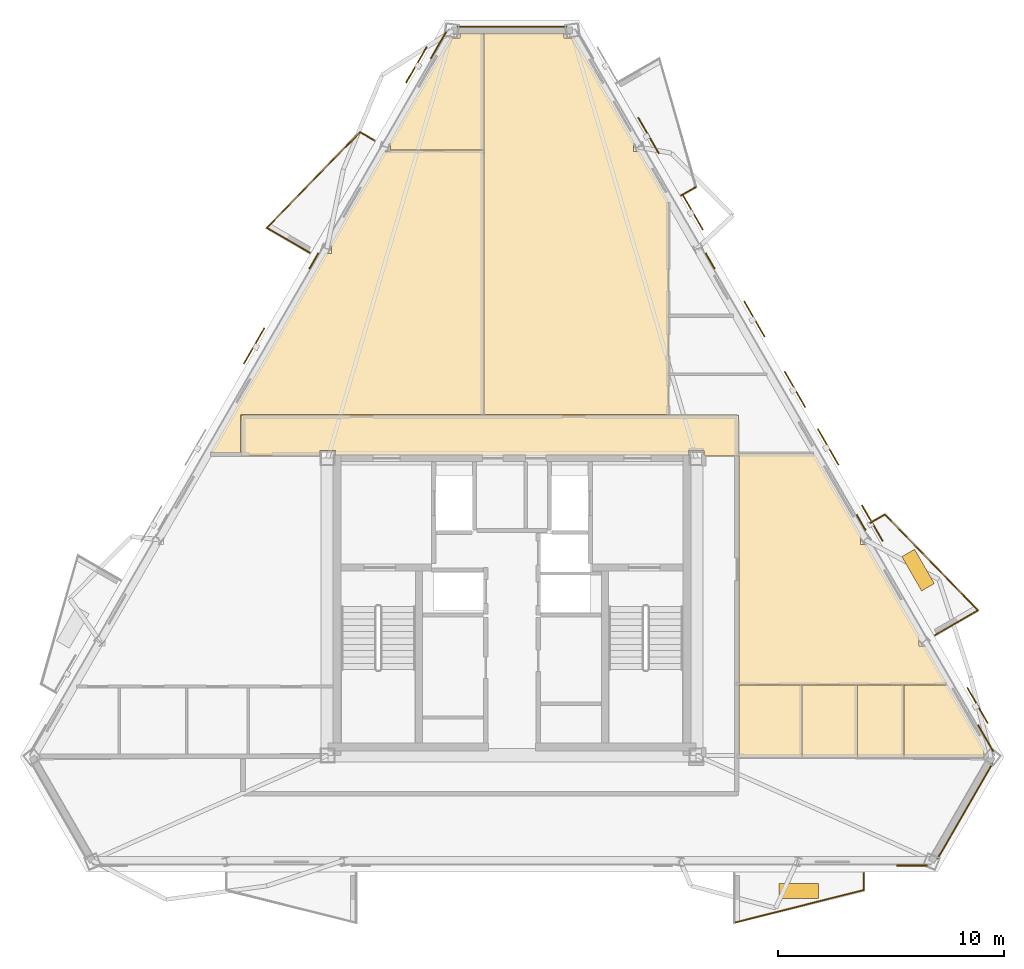
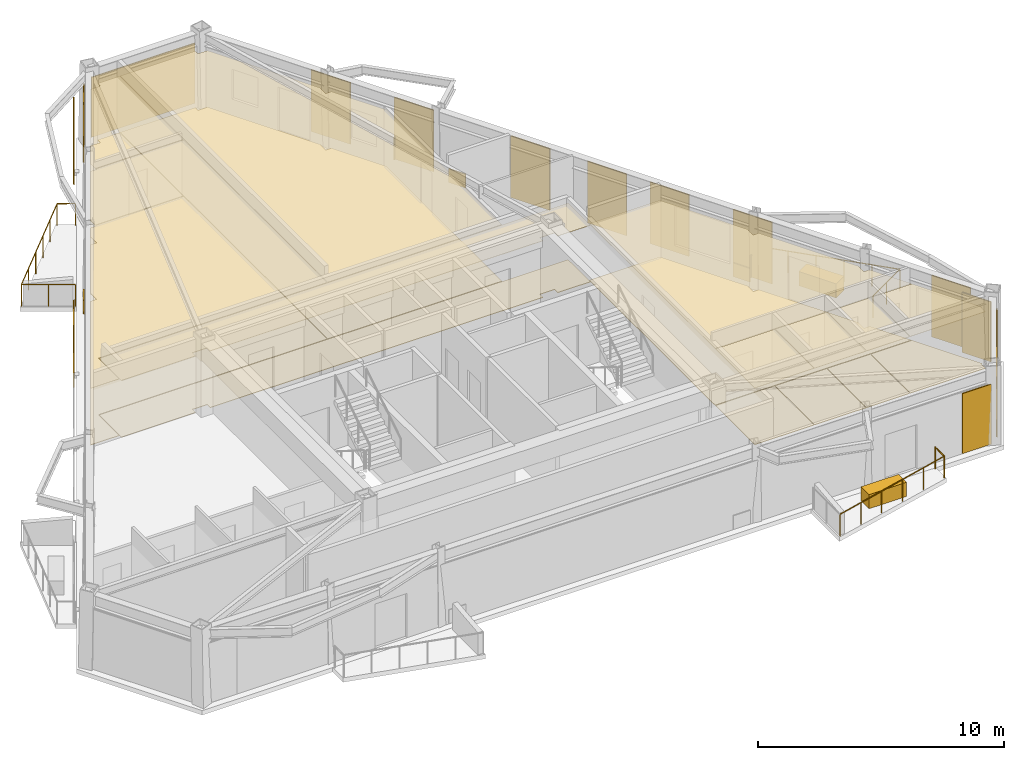
# One storey, part 8 of 9: 28 coverings, 9 railings, 9 shading devices.
"""IFC4 building model written with IfcOpenShell, lengths in metres."""

from ifc_helpers import new_model, si_unit, direction, frame, origin, origin_2d, place, context, subcontext, project, spatial, polyline, rectangle, circle, outline, extrude, material, layer, layer_set, type_object, element, save


model = new_model("IFC4")

# Units and contexts
model_context = context("Model", 3, precision=1e-05, world=origin(), true_north=direction((0.0, 1.0)))
body_context = subcontext(model_context, "Body", "Model", "MODEL_VIEW")
ifc_project = project(units=[si_unit("LENGTHUNIT", "METRE"), si_unit("AREAUNIT", "SQUARE_METRE"), si_unit("VOLUMEUNIT", "CUBIC_METRE"), si_unit("PLANEANGLEUNIT", "RADIAN"), si_unit("MASSUNIT", "GRAM", prefix="KILO")], contexts=[model_context])

# Site, building, storey
site_placement = place(None, origin())
site = spatial("IfcSite", under=ifc_project, at=site_placement, CompositionType="ELEMENT")
building_placement = place(site_placement, origin())
building = spatial("IfcBuilding", under=site, at=building_placement, Name="Oramaril Tower", CompositionType="ELEMENT")
storey_placement = place(building_placement, frame((0.0, 0.0, 253.800048828125)))
storey = spatial("IfcBuildingStorey", under=building, at=storey_placement, Name="L67", CompositionType="ELEMENT", Elevation=253.800048828125)

# Coverings
ifc_material_1 = material(Name="Mineral Fibre Acoustic Ceiling")
ifc_layer_1 = layer(ifc_material_1, 0.02001953125)
ifc_layer_set_1 = layer_set([ifc_layer_1], Name="CVT-CEIL")
covering_type_1 = type_object("IfcCoveringType", Name="CVT-CEIL", PredefinedType="CEILING", material=ifc_layer_set_1)
covering_1_placement = place(storey_placement, frame((0.0, 0.0, 2.81201171875)))
element("IfcCovering", 1, at=covering_1_placement, inside=storey, type_object=covering_type_1, Name="L67 Acoustic Suspended Ceiling 2", PredefinedType="CEILING", context=body_context, shape_type="SweptSolid", body=[
    extrude(outline(polyline([(47.530029296875, 24.239990234375), (45.9951171875, 24.239990234375), (45.9951171875, 24.4951171875), (45.304931640625, 24.4951171875), (45.304931640625, 24.25), (29.695068359375, 24.25), (29.695068359375, 24.4951171875), (29.0048828125, 24.4951171875), (29.0048828125, 24.239990234375), (25.52001953125, 24.239990234375), (25.52001953125, 26.050048828125), (47.530029296875, 26.050048828125), (47.530029296875, 24.239990234375)])), origin(), (0.0, 0.0, 1.0), 0.02001953125),
])
covering_2_placement = place(storey_placement, frame((0.0, 0.0, 2.81201171875)))
element("IfcCovering", 2, at=covering_2_placement, inside=storey, type_object=covering_type_1, Name="L67 Acoustic Suspended Ceiling 9", PredefinedType="CEILING", context=body_context, shape_type="SweptSolid", body=[
    extrude(outline(polyline([(52.924072265625, 20.7841796875), (52.913330078125, 20.7841796875), (52.913330078125, 20.331787109375), (53.185302734375, 20.331787109375), (55.521240234375, 16.28564453125), (55.513916015625, 16.28564453125), (55.513916015625, 15.827392578125), (55.785888671875, 15.827392578125), (56.76708984375, 14.1279296875), (47.550048828125, 14.1279296875), (47.550048828125, 24.219970703125), (47.5498046875, 24.221923828125), (47.549560546875, 24.223876953125), (47.549072265625, 24.225830078125), (47.548583984375, 24.227783203125), (47.547607421875, 24.2294921875), (47.54736328125, 24.22998046875), (47.547607421875, 24.230712890625), (47.548583984375, 24.232421875), (47.549072265625, 24.234130859375), (47.549560546875, 24.236083984375), (47.5498046875, 24.238037109375), (47.550048828125, 24.239990234375), (47.550048828125, 24.362060546875), (50.8583984375, 24.362060546875), (52.924072265625, 20.7841796875)])), origin(), (0.0, 0.0, 1.0), 0.02001953125),
])
covering_3_placement = place(storey_placement, frame((0.0, 0.0, 2.81201171875)))
element("IfcCovering", 3, at=covering_3_placement, inside=storey, type_object=covering_type_1, Name="L67 Acoustic Suspended Ceiling 10", PredefinedType="CEILING", context=body_context, shape_type="SweptSolid", body=[
    extrude(outline(polyline([(50.330078125, 10.907958984375), (47.550048828125, 10.907958984375), (47.550048828125, 11.030029296875), (47.5498046875, 11.031982421875), (47.549560546875, 11.033935546875), (47.549072265625, 11.035888671875), (47.548583984375, 11.03759765625), (47.547607421875, 11.039306640625), (47.54736328125, 11.0400390625), (47.547607421875, 11.04052734375), (47.548583984375, 11.042236328125), (47.549072265625, 11.044189453125), (47.549560546875, 11.046142578125), (47.5498046875, 11.048095703125), (47.550048828125, 11.050048828125), (47.550048828125, 14.10791015625), (50.330078125, 14.10791015625), (50.330078125, 10.907958984375)])), origin(), (0.0, 0.0, 1.0), 0.02001953125),
])
covering_4_placement = place(storey_placement, frame((0.0, 0.0, 2.81201171875)))
element("IfcCovering", 4, at=covering_4_placement, inside=storey, type_object=covering_type_1, Name="L67 Acoustic Suspended Ceiling 11", PredefinedType="CEILING", context=body_context, shape_type="SweptSolid", body=[
    extrude(outline(polyline([(50.35009765625, 10.907958984375), (50.35009765625, 14.10791015625), (52.7734375, 14.10791015625), (52.7734375, 10.907958984375), (50.35009765625, 10.907958984375)])), origin(), (0.0, 0.0, 1.0), 0.02001953125),
])
covering_5_placement = place(storey_placement, frame((0.0, 0.0, 2.81201171875)))
element("IfcCovering", 5, at=covering_5_placement, inside=storey, type_object=covering_type_1, Name="L67 Acoustic Suspended Ceiling 12", PredefinedType="CEILING", context=body_context, shape_type="SweptSolid", body=[
    extrude(outline(polyline([(52.79345703125, 10.907958984375), (52.79345703125, 14.10791015625), (54.823486328125, 14.10791015625), (54.823486328125, 10.907958984375), (52.79345703125, 10.907958984375)])), origin(), (0.0, 0.0, 1.0), 0.02001953125),
])
covering_6_placement = place(storey_placement, frame((0.0, 0.0, 2.81201171875)))
element("IfcCovering", 6, at=covering_6_placement, inside=storey, type_object=covering_type_1, Name="L67 Acoustic Suspended Ceiling 13", PredefinedType="CEILING", context=body_context, shape_type="SweptSolid", body=[
    extrude(outline(polyline([(58.37255859375, 11.258056640625), (58.37255859375, 10.907958984375), (54.843505859375, 10.907958984375), (54.843505859375, 14.10791015625), (56.76708984375, 14.10791015625), (56.76904296875, 14.108154296875), (56.77099609375, 14.1083984375), (56.77294921875, 14.10888671875), (56.774658203125, 14.109619140625), (56.776611328125, 14.1103515625), (56.777099609375, 14.110595703125), (58.423828125, 11.258056640625), (58.37255859375, 11.258056640625)])), origin(), (0.0, 0.0, 1.0), 0.02001953125),
])
covering_7_placement = place(storey_placement, frame((0.0, 0.0, 2.81201171875)))
element("IfcCovering", 7, at=covering_7_placement, inside=storey, type_object=covering_type_1, Name="L67 Acoustic Suspended Ceiling 14", PredefinedType="CEILING", context=body_context, shape_type="SweptSolid", body=[
    extrude(outline(polyline([(29.2451171875, 33.201416015625), (29.51708984375, 33.201416015625), (29.51708984375, 33.63671875), (29.496337890625, 33.63671875), (31.845703125, 37.705810546875), (32.11767578125, 37.705810546875), (32.11767578125, 37.753662109375), (36.241943359375, 37.753662109375), (36.241943359375, 26.070068359375), (25.52001953125, 26.070068359375), (25.51806640625, 26.06982421875), (25.51611328125, 26.069580078125), (25.51416015625, 26.069091796875), (25.51220703125, 26.068603515625), (25.510498046875, 26.067626953125), (25.5087890625, 26.066650390625), (25.50732421875, 26.0654296875), (25.505859375, 26.064208984375), (25.50439453125, 26.062744140625), (25.50341796875, 26.06103515625), (25.50244140625, 26.059326171875), (25.50146484375, 26.0576171875), (25.5009765625, 26.055908203125), (25.50048828125, 26.053955078125), (25.5, 26.052001953125), (25.5, 26.050048828125), (25.5, 24.382080078125), (24.1533203125, 24.382080078125), (29.2451171875, 33.201416015625)])), origin(), (0.0, 0.0, 1.0), 0.02001953125),
])
covering_8_placement = place(storey_placement, frame((0.0, 0.0, 2.81201171875)))
element("IfcCovering", 8, at=covering_8_placement, inside=storey, type_object=covering_type_1, Name="L67 Acoustic Suspended Ceiling 15", PredefinedType="CEILING", context=body_context, shape_type="SweptSolid", body=[
    extrude(outline(polyline([(32.11767578125, 38.135009765625), (32.093505859375, 38.135009765625), (34.752197265625, 42.740234375), (35.203125, 42.740234375), (35.203125, 42.961669921875), (36.241943359375, 42.961669921875), (36.241943359375, 37.773681640625), (32.11767578125, 37.773681640625), (32.11767578125, 38.135009765625)])), origin(), (0.0, 0.0, 1.0), 0.02001953125),
])
covering_9_placement = place(storey_placement, frame((0.0, 0.0, 2.81201171875)))
element("IfcCovering", 9, at=covering_9_placement, inside=storey, type_object=covering_type_1, Name="L67 Acoustic Suspended Ceiling 16", PredefinedType="CEILING", context=body_context, shape_type="SweptSolid", body=[
    extrude(outline(polyline([(39.796875, 42.961669921875), (39.796875, 42.740234375), (40.247802734375, 42.740234375), (42.906494140625, 38.135009765625), (42.88232421875, 38.135009765625), (42.88232421875, 37.705810546875), (43.154296875, 37.705810546875), (44.43701171875, 35.48388671875), (44.43701171875, 26.070068359375), (36.261962890625, 26.070068359375), (36.261962890625, 37.753662109375), (36.261962890625, 37.755615234375), (36.26171875, 37.757568359375), (36.260986328125, 37.759521484375), (36.260498046875, 37.761474609375), (36.259521484375, 37.76318359375), (36.25927734375, 37.763671875), (36.259521484375, 37.764404296875), (36.260498046875, 37.76611328125), (36.260986328125, 37.767822265625), (36.26171875, 37.769775390625), (36.261962890625, 37.771728515625), (36.261962890625, 37.773681640625), (36.261962890625, 42.961669921875), (39.796875, 42.961669921875)])), origin(), (0.0, 0.0, 1.0), 0.02001953125),
])
ifc_material_2 = material(Name="Warm Cream Limestone", Category="masonry")
ifc_layer_2 = layer(ifc_material_2, 0.050048828125)
ifc_layer_set_2 = layer_set([ifc_layer_2], Name="CVT-CLD")
covering_type_2 = type_object("IfcCoveringType", Name="CVT-CLD", PredefinedType="CLADDING", material=ifc_layer_set_2)
covering_10_placement = place(storey_placement, frame((55.201171875, 6.124267578125, 0.0400390625), z_axis=(0.0, 0.0, 1.0), x_axis=(1.0, 0.0, 0.0)))
element("IfcCovering", 10, at=covering_10_placement, inside=storey, type_object=covering_type_2, Name="L67 Warm Cream Limestone Cladding", PredefinedType="CLADDING", context=body_context, shape_type="SweptSolid", body=[
    extrude(rectangle(XDim=1.35009765625, YDim=0.050048828125, at=origin_2d()), origin(), (0.0, 0.0, 1.0), 2.97802734375),
])
covering_11_placement = place(storey_placement, frame((57.53759765625, 8.53125, 0.0400390625), z_axis=(0.0, 0.0, 1.0), x_axis=(0.500006045986, 0.866021913105, 0.0)))
element("IfcCovering", 11, at=covering_11_placement, inside=storey, type_object=covering_type_2, Name="L67 Warm Cream Limestone Cladding", PredefinedType="CLADDING", context=body_context, shape_type="SweptSolid", body=[
    extrude(rectangle(XDim=4.864501953125, YDim=0.050048828125, at=origin_2d()), origin(), (0.0, 0.0, 1.0), 2.97802734375),
])
covering_12_placement = place(storey_placement, frame((58.453857421875, 11.75830078125, 0.0400390625), z_axis=(0.0, 0.0, 1.0), x_axis=(-0.500001511499, 0.866024531118, 0.0)))
element("IfcCovering", 12, at=covering_12_placement, inside=storey, type_object=covering_type_2, Name="L67 Warm Cream Limestone Cladding", PredefinedType="CLADDING", context=body_context, shape_type="SweptSolid", body=[
    extrude(rectangle(XDim=1.35009765625, YDim=0.050048828125, at=origin_2d()), origin(), (0.0, 0.0, 1.0), 2.97802734375),
])
for number, where, z_axis, x_axis, name in (
    (13, (52.9423828125, 21.30419921875, 0.0400390625), (0.0, 0.0, 1.0), (-0.500001511499, 0.866024531118, 0.0), "L67 Warm Cream Limestone Spandrel Cladding"),
    (14, (46.26416015625, 32.87158203125, 0.0400390625), (0.0, 0.0, 1.0), (-0.500001511499, 0.866024531118, 0.0), "L67 Warm Cream Limestone Spandrel Cladding"),
):
    element("IfcCovering", number, at=place(storey_placement, frame(where, z_axis=z_axis, x_axis=x_axis)), inside=storey, type_object=covering_type_2, Name=name, PredefinedType="CLADDING", context=body_context, shape_type="SweptSolid", body=[
        extrude(rectangle(XDim=0.800048828125, YDim=0.050048828125, at=origin_2d()), origin(), (0.0, 0.0, 1.0), 0.679931640625),
    ])
covering_13_placement = place(storey_placement, frame((37.5, 43.237548828125, 0.0400390625), z_axis=(0.0, 0.0, 1.0), x_axis=(-1.0, 0.0, 0.0)))
element("IfcCovering", 15, at=covering_13_placement, inside=storey, type_object=covering_type_2, Name="L67 Warm Cream Limestone Cladding", PredefinedType="CLADDING", context=body_context, shape_type="SweptSolid", body=[
    extrude(rectangle(XDim=4.864501953125, YDim=0.050048828125, at=origin_2d()), origin(), (0.0, 0.0, 1.0), 2.97802734375),
])
covering_14_placement = place(storey_placement, frame((34.247314453125, 42.41748046875, 0.0400390625), z_axis=(0.0, 0.0, 1.0), x_axis=(-0.500001511499, -0.866024531118, 0.0)))
element("IfcCovering", 16, at=covering_14_placement, inside=storey, type_object=covering_type_2, Name="L67 Warm Cream Limestone Cladding", PredefinedType="CLADDING", context=body_context, shape_type="SweptSolid", body=[
    extrude(rectangle(XDim=1.35009765625, YDim=0.050048828125, at=origin_2d()), origin(), (0.0, 0.0, 1.0), 2.97802734375),
])
covering_15_placement = place(storey_placement, frame((28.73583984375, 32.87158203125, 0.0400390625), z_axis=(0.0, 0.0, 1.0), x_axis=(-0.500001511499, -0.866024531118, 0.0)))
element("IfcCovering", 17, at=covering_15_placement, inside=storey, type_object=covering_type_2, Name="L67 Warm Cream Limestone Spandrel Cladding", PredefinedType="CLADDING", context=body_context, shape_type="SweptSolid", body=[
    extrude(rectangle(XDim=0.800048828125, YDim=0.050048828125, at=origin_2d()), origin(), (0.0, 0.0, 1.0), 0.679931640625),
])
for number, where, z_axis, x_axis, name in (
    (18, (50.191650390625, 4.995849609375, 0.0), (0.0, 0.0, 1.0), (1.0, 0.0, 0.0), "L67 Structural Tree Planter Box L67-BAL-S2"),
    (19, (55.464111328125, 19.19384765625, 0.0), (0.0, 0.0, 1.0), (-0.500001511499, 0.866024531118, 0.0), "L67 Structural Tree Planter Box L67-BAL-NE1"),
):
    element("IfcCovering", number, at=place(storey_placement, frame(where, z_axis=z_axis, x_axis=x_axis)), inside=storey, type_object=covering_type_2, Name=name, PredefinedType="CLADDING", context=body_context, shape_type="SweptSolid", body=[
        extrude(rectangle(XDim=1.75, YDim=0.64990234375, at=origin_2d()), origin(), (0.0, 0.0, 1.0), 0.699951171875),
    ])
ifc_material_3 = material(Name="Honed Quartzite Stone Flooring", Category="masonry")
ifc_layer_3 = layer(ifc_material_3, 0.02490234375)
ifc_layer_set_3 = layer_set([ifc_layer_3], Name="CVT-FLR")
covering_type_3 = type_object("IfcCoveringType", Name="CVT-FLR", PredefinedType="FLOORING", material=ifc_layer_set_3)
covering_16_placement = place(storey_placement, origin())
element("IfcCovering", 20, at=covering_16_placement, inside=storey, type_object=covering_type_3, Name="L67 Honed Stone Floor Finish 2", PredefinedType="FLOORING", context=body_context, shape_type="SweptSolid", body=[
    extrude(outline(polyline([(47.530029296875, 24.239990234375), (45.9951171875, 24.239990234375), (45.9951171875, 24.4951171875), (45.304931640625, 24.4951171875), (45.304931640625, 24.25), (29.695068359375, 24.25), (29.695068359375, 24.4951171875), (29.0048828125, 24.4951171875), (29.0048828125, 24.239990234375), (25.52001953125, 24.239990234375), (25.52001953125, 26.050048828125), (47.530029296875, 26.050048828125), (47.530029296875, 24.239990234375)])), origin(), (0.0, 0.0, 1.0), 0.02490234375),
])
covering_17_placement = place(storey_placement, origin())
element("IfcCovering", 21, at=covering_17_placement, inside=storey, type_object=covering_type_3, Name="L67 Honed Stone Floor Finish 9", PredefinedType="FLOORING", context=body_context, shape_type="SweptSolid", body=[
    extrude(outline(polyline([(52.924072265625, 20.7841796875), (52.913330078125, 20.7841796875), (52.913330078125, 20.331787109375), (53.185302734375, 20.331787109375), (55.521240234375, 16.28564453125), (55.513916015625, 16.28564453125), (55.513916015625, 15.827392578125), (55.785888671875, 15.827392578125), (56.76708984375, 14.1279296875), (47.550048828125, 14.1279296875), (47.550048828125, 24.219970703125), (47.5498046875, 24.221923828125), (47.549560546875, 24.223876953125), (47.549072265625, 24.225830078125), (47.548583984375, 24.227783203125), (47.547607421875, 24.2294921875), (47.54736328125, 24.22998046875), (47.547607421875, 24.230712890625), (47.548583984375, 24.232421875), (47.549072265625, 24.234130859375), (47.549560546875, 24.236083984375), (47.5498046875, 24.238037109375), (47.550048828125, 24.239990234375), (47.550048828125, 24.362060546875), (50.8583984375, 24.362060546875), (52.924072265625, 20.7841796875)])), origin(), (0.0, 0.0, 1.0), 0.02490234375),
])
covering_18_placement = place(storey_placement, origin())
element("IfcCovering", 22, at=covering_18_placement, inside=storey, type_object=covering_type_3, Name="L67 Honed Stone Floor Finish 10", PredefinedType="FLOORING", context=body_context, shape_type="SweptSolid", body=[
    extrude(outline(polyline([(50.330078125, 10.907958984375), (47.550048828125, 10.907958984375), (47.550048828125, 11.030029296875), (47.5498046875, 11.031982421875), (47.549560546875, 11.033935546875), (47.549072265625, 11.035888671875), (47.548583984375, 11.03759765625), (47.547607421875, 11.039306640625), (47.54736328125, 11.0400390625), (47.547607421875, 11.04052734375), (47.548583984375, 11.042236328125), (47.549072265625, 11.044189453125), (47.549560546875, 11.046142578125), (47.5498046875, 11.048095703125), (47.550048828125, 11.050048828125), (47.550048828125, 14.10791015625), (50.330078125, 14.10791015625), (50.330078125, 10.907958984375)])), origin(), (0.0, 0.0, 1.0), 0.02490234375),
])
covering_19_placement = place(storey_placement, origin())
element("IfcCovering", 23, at=covering_19_placement, inside=storey, type_object=covering_type_3, Name="L67 Honed Stone Floor Finish 11", PredefinedType="FLOORING", context=body_context, shape_type="SweptSolid", body=[
    extrude(outline(polyline([(50.35009765625, 10.907958984375), (50.35009765625, 14.10791015625), (52.7734375, 14.10791015625), (52.7734375, 10.907958984375), (50.35009765625, 10.907958984375)])), origin(), (0.0, 0.0, 1.0), 0.02490234375),
])
covering_20_placement = place(storey_placement, origin())
element("IfcCovering", 24, at=covering_20_placement, inside=storey, type_object=covering_type_3, Name="L67 Honed Stone Floor Finish 12", PredefinedType="FLOORING", context=body_context, shape_type="SweptSolid", body=[
    extrude(outline(polyline([(52.79345703125, 10.907958984375), (52.79345703125, 14.10791015625), (54.823486328125, 14.10791015625), (54.823486328125, 10.907958984375), (52.79345703125, 10.907958984375)])), origin(), (0.0, 0.0, 1.0), 0.02490234375),
])
covering_21_placement = place(storey_placement, origin())
element("IfcCovering", 25, at=covering_21_placement, inside=storey, type_object=covering_type_3, Name="L67 Honed Stone Floor Finish 13", PredefinedType="FLOORING", context=body_context, shape_type="SweptSolid", body=[
    extrude(outline(polyline([(58.37255859375, 11.258056640625), (58.37255859375, 10.907958984375), (54.843505859375, 10.907958984375), (54.843505859375, 14.10791015625), (56.76708984375, 14.10791015625), (56.76904296875, 14.108154296875), (56.77099609375, 14.1083984375), (56.77294921875, 14.10888671875), (56.774658203125, 14.109619140625), (56.776611328125, 14.1103515625), (56.777099609375, 14.110595703125), (58.423828125, 11.258056640625), (58.37255859375, 11.258056640625)])), origin(), (0.0, 0.0, 1.0), 0.02490234375),
])
covering_22_placement = place(storey_placement, origin())
element("IfcCovering", 26, at=covering_22_placement, inside=storey, type_object=covering_type_3, Name="L67 Honed Stone Floor Finish 14", PredefinedType="FLOORING", context=body_context, shape_type="SweptSolid", body=[
    extrude(outline(polyline([(29.2451171875, 33.201416015625), (29.51708984375, 33.201416015625), (29.51708984375, 33.63671875), (29.496337890625, 33.63671875), (31.845703125, 37.705810546875), (32.11767578125, 37.705810546875), (32.11767578125, 37.753662109375), (36.241943359375, 37.753662109375), (36.241943359375, 26.070068359375), (25.52001953125, 26.070068359375), (25.51806640625, 26.06982421875), (25.51611328125, 26.069580078125), (25.51416015625, 26.069091796875), (25.51220703125, 26.068603515625), (25.510498046875, 26.067626953125), (25.5087890625, 26.066650390625), (25.50732421875, 26.0654296875), (25.505859375, 26.064208984375), (25.50439453125, 26.062744140625), (25.50341796875, 26.06103515625), (25.50244140625, 26.059326171875), (25.50146484375, 26.0576171875), (25.5009765625, 26.055908203125), (25.50048828125, 26.053955078125), (25.5, 26.052001953125), (25.5, 26.050048828125), (25.5, 24.382080078125), (24.1533203125, 24.382080078125), (29.2451171875, 33.201416015625)])), origin(), (0.0, 0.0, 1.0), 0.02490234375),
])
covering_23_placement = place(storey_placement, origin())
element("IfcCovering", 27, at=covering_23_placement, inside=storey, type_object=covering_type_3, Name="L67 Honed Stone Floor Finish 15", PredefinedType="FLOORING", context=body_context, shape_type="SweptSolid", body=[
    extrude(outline(polyline([(32.11767578125, 38.135009765625), (32.093505859375, 38.135009765625), (34.752197265625, 42.740234375), (35.203125, 42.740234375), (35.203125, 42.961669921875), (36.241943359375, 42.961669921875), (36.241943359375, 37.773681640625), (32.11767578125, 37.773681640625), (32.11767578125, 38.135009765625)])), origin(), (0.0, 0.0, 1.0), 0.02490234375),
])
covering_24_placement = place(storey_placement, origin())
element("IfcCovering", 28, at=covering_24_placement, inside=storey, type_object=covering_type_3, Name="L67 Honed Stone Floor Finish 16", PredefinedType="FLOORING", context=body_context, shape_type="SweptSolid", body=[
    extrude(outline(polyline([(39.796875, 42.961669921875), (39.796875, 42.740234375), (40.247802734375, 42.740234375), (42.906494140625, 38.135009765625), (42.88232421875, 38.135009765625), (42.88232421875, 37.705810546875), (43.154296875, 37.705810546875), (44.43701171875, 35.48388671875), (44.43701171875, 26.070068359375), (36.261962890625, 26.070068359375), (36.261962890625, 37.753662109375), (36.261962890625, 37.755615234375), (36.26171875, 37.757568359375), (36.260986328125, 37.759521484375), (36.260498046875, 37.761474609375), (36.259521484375, 37.76318359375), (36.25927734375, 37.763671875), (36.259521484375, 37.764404296875), (36.260498046875, 37.76611328125), (36.260986328125, 37.767822265625), (36.26171875, 37.769775390625), (36.261962890625, 37.771728515625), (36.261962890625, 37.773681640625), (36.261962890625, 42.961669921875), (39.796875, 42.961669921875)])), origin(), (0.0, 0.0, 1.0), 0.02490234375),
])

# Railings
ifc_material_4 = material(Name="Stainless Steel 316L", Category="steel")
railing_type = type_object("IfcRailingType", Name="RLT-GRD", PredefinedType="GUARDRAIL", material=ifc_material_4)
railing_1_placement = place(storey_placement, frame((53.056640625, 5.7841796875, 0.0)))
element("IfcRailing", 29, at=railing_1_placement, inside=storey, type_object=railing_type, Name="L67 Balcony Guardrail L67-BAL-S2.1", PredefinedType="GUARDRAIL", context=body_context, shape_type="SweptSolid", body=[
    extrude(circle(Radius=0.02392578125, at=origin_2d()), frame((0.0, 0.0, 1.076171875), z_axis=(0.0, -1.0, 0.0), x_axis=(1.0, 0.0, 0.0)), (0.0, 0.0, 1.0), 0.741943359375),
    extrude(circle(Radius=0.02099609375, at=origin_2d()), origin(), (0.0, 0.0, 1.0), 1.052001953125),
    extrude(circle(Radius=0.02099609375, at=origin_2d()), frame((0.0, -0.741943359375, 0.0)), (0.0, 0.0, 1.0), 1.052001953125),
])
railing_2_placement = place(storey_placement, frame((53.056640625, 5.042236328125, 0.0)))
element("IfcRailing", 30, at=railing_2_placement, inside=storey, type_object=railing_type, Name="L67 Balcony Guardrail L67-BAL-S2.2", PredefinedType="GUARDRAIL", context=body_context, shape_type="SweptSolid", body=[
    extrude(circle(Radius=0.02392578125, at=origin_2d()), frame((0.0, 0.0, 1.076171875), z_axis=(-0.969443611257, -0.245314256807, 0.0), x_axis=(0.245314256807, -0.969443611257, 0.0)), (0.0, 0.0, 1.0), 5.91064453125),
    extrude(circle(Radius=0.02099609375, at=origin_2d()), origin(), (0.0, 0.0, 1.0), 1.052001953125),
    extrude(circle(Radius=0.02099609375, at=origin_2d()), frame((-1.14599609375, -0.2900390625, 0.0)), (0.0, 0.0, 1.0), 1.052001953125),
    extrude(circle(Radius=0.02099609375, at=origin_2d()), frame((-2.2919921875, -0.580078125, 0.0)), (0.0, 0.0, 1.0), 1.052001953125),
    extrude(circle(Radius=0.02099609375, at=origin_2d()), frame((-3.43798828125, -0.869873046875, 0.0)), (0.0, 0.0, 1.0), 1.052001953125),
    extrude(circle(Radius=0.02099609375, at=origin_2d()), frame((-4.583984375, -1.159912109375, 0.0)), (0.0, 0.0, 1.0), 1.052001953125),
    extrude(circle(Radius=0.02099609375, at=origin_2d()), frame((-5.72998046875, -1.449951171875, 0.0)), (0.0, 0.0, 1.0), 1.052001953125),
])
railing_3_placement = place(storey_placement, frame((53.3486328125, 21.28076171875, 0.0)))
element("IfcRailing", 31, at=railing_3_placement, inside=storey, type_object=railing_type, Name="L67 Balcony Guardrail L67-BAL-NE1.1", PredefinedType="GUARDRAIL", context=body_context, shape_type="SweptSolid", body=[
    extrude(circle(Radius=0.02392578125, at=origin_2d()), frame((0.0, 0.0, 1.076171875), z_axis=(0.866108878364, 0.499855389907, 0.0), x_axis=(-0.499855389907, 0.866108878364, 0.0)), (0.0, 0.0, 1.0), 0.741943359375),
    extrude(circle(Radius=0.02099609375, at=origin_2d()), origin(), (0.0, 0.0, 1.0), 1.052001953125),
    extrude(circle(Radius=0.02099609375, at=origin_2d()), frame((0.642578125, 0.370849609375, 0.0)), (0.0, 0.0, 1.0), 1.052001953125),
])
railing_4_placement = place(storey_placement, frame((53.9912109375, 21.651611328125, 0.0)))
element("IfcRailing", 32, at=railing_4_placement, inside=storey, type_object=railing_type, Name="L67 Balcony Guardrail L67-BAL-NE1.2", PredefinedType="GUARDRAIL", context=body_context, shape_type="SweptSolid", body=[
    extrude(circle(Radius=0.02392578125, at=origin_2d()), frame((0.0, 0.0, 1.076171875), z_axis=(0.697207560153, -0.716869317285, 0.0), x_axis=(0.716869317285, 0.697207560153, 0.0)), (0.0, 0.0, 1.0), 5.910400390625),
    extrude(circle(Radius=0.02099609375, at=origin_2d()), origin(), (0.0, 0.0, 1.0), 1.052001953125),
    extrude(circle(Radius=0.02099609375, at=origin_2d()), frame((0.82421875, -0.847412109375, 0.0)), (0.0, 0.0, 1.0), 1.052001953125),
    extrude(circle(Radius=0.02099609375, at=origin_2d()), frame((1.6484375, -1.69482421875, 0.0)), (0.0, 0.0, 1.0), 1.052001953125),
    extrude(circle(Radius=0.02099609375, at=origin_2d()), frame((2.472412109375, -2.542236328125, 0.0)), (0.0, 0.0, 1.0), 1.052001953125),
    extrude(circle(Radius=0.02099609375, at=origin_2d()), frame((3.296630859375, -3.3896484375, 0.0)), (0.0, 0.0, 1.0), 1.052001953125),
    extrude(circle(Radius=0.02099609375, at=origin_2d()), frame((4.120849609375, -4.237060546875, 0.0)), (0.0, 0.0, 1.0), 1.052001953125),
])
railing_5_placement = place(storey_placement, frame((58.112060546875, 17.41455078125, 0.0)))
element("IfcRailing", 33, at=railing_5_placement, inside=storey, type_object=railing_type, Name="L67 Balcony Guardrail L67-BAL-NE1.3", PredefinedType="GUARDRAIL", context=body_context, shape_type="SweptSolid", body=[
    extrude(circle(Radius=0.02392578125, at=origin_2d()), frame((0.0, 0.0, 1.076171875), z_axis=(-0.866048343933, -0.499960264392, 0.0), x_axis=(0.499960264392, -0.866048343933, 0.0)), (0.0, 0.0, 1.0), 2.192138671875),
    extrude(circle(Radius=0.02099609375, at=origin_2d()), origin(), (0.0, 0.0, 1.0), 1.052001953125),
    extrude(circle(Radius=0.02099609375, at=origin_2d()), frame((-0.94921875, -0.5478515625, 0.0)), (0.0, 0.0, 1.0), 1.052001953125),
    extrude(circle(Radius=0.02099609375, at=origin_2d()), frame((-1.8984375, -1.095947265625, 0.0)), (0.0, 0.0, 1.0), 1.052001953125),
])
railing_6_placement = place(storey_placement, frame((45.626953125, 36.13916015625, 0.0)))
element("IfcRailing", 34, at=railing_6_placement, inside=storey, type_object=railing_type, Name="L67 Balcony Guardrail L67-BAL-NE2.3", PredefinedType="GUARDRAIL", context=body_context, shape_type="SweptSolid", body=[
    extrude(circle(Radius=0.02392578125, at=origin_2d()), frame((0.0, 0.0, 1.076171875), z_axis=(-0.865966403178, -0.500102178127, 0.0), x_axis=(0.500102178127, -0.865966403178, 0.0)), (0.0, 0.0, 1.0), 0.741943359375),
    extrude(circle(Radius=0.02099609375, at=origin_2d()), origin(), (0.0, 0.0, 1.0), 1.052001953125),
    extrude(circle(Radius=0.02099609375, at=origin_2d()), frame((-0.642578125, -0.37109375, 0.0)), (0.0, 0.0, 1.0), 1.052001953125),
])
railing_7_placement = place(storey_placement, frame((28.552978515625, 33.235107421875, 0.0)))
element("IfcRailing", 35, at=railing_7_placement, inside=storey, type_object=railing_type, Name="L67 Balcony Guardrail L67-BAL-NW1.1", PredefinedType="GUARDRAIL", context=body_context, shape_type="SweptSolid", body=[
    extrude(circle(Radius=0.02392578125, at=origin_2d()), frame((0.0, 0.0, 1.076171875), z_axis=(-0.866020500697, 0.5000084923, 0.0), x_axis=(-0.5000084923, -0.866020500697, 0.0)), (0.0, 0.0, 1.0), 2.19189453125),
    extrude(circle(Radius=0.02099609375, at=origin_2d()), origin(), (0.0, 0.0, 1.0), 1.052001953125),
    extrude(circle(Radius=0.02099609375, at=origin_2d()), frame((-0.94921875, 0.5478515625, 0.0)), (0.0, 0.0, 1.0), 1.052001953125),
    extrude(circle(Radius=0.02099609375, at=origin_2d()), frame((-1.898193359375, 1.095947265625, 0.0)), (0.0, 0.0, 1.0), 1.052001953125),
])
railing_8_placement = place(storey_placement, frame((26.65478515625, 34.3310546875, 0.0)))
element("IfcRailing", 36, at=railing_8_placement, inside=storey, type_object=railing_type, Name="L67 Balcony Guardrail L67-BAL-NW1.2", PredefinedType="GUARDRAIL", context=body_context, shape_type="SweptSolid", body=[
    extrude(circle(Radius=0.02392578125, at=origin_2d()), frame((0.0, 0.0, 1.076171875), z_axis=(0.697207560153, 0.716869317285, 0.0), x_axis=(-0.716869317285, 0.697207560153, 0.0)), (0.0, 0.0, 1.0), 5.910400390625),
    extrude(circle(Radius=0.02099609375, at=origin_2d()), origin(), (0.0, 0.0, 1.0), 1.052001953125),
    extrude(circle(Radius=0.02099609375, at=origin_2d()), frame((0.82421875, 0.847412109375, 0.0)), (0.0, 0.0, 1.0), 1.052001953125),
    extrude(circle(Radius=0.02099609375, at=origin_2d()), frame((1.6484375, 1.69482421875, 0.0)), (0.0, 0.0, 1.0), 1.052001953125),
    extrude(circle(Radius=0.02099609375, at=origin_2d()), frame((2.472412109375, 2.542236328125, 0.0)), (0.0, 0.0, 1.0), 1.052001953125),
    extrude(circle(Radius=0.02099609375, at=origin_2d()), frame((3.296630859375, 3.3896484375, 0.0)), (0.0, 0.0, 1.0), 1.052001953125),
    extrude(circle(Radius=0.02099609375, at=origin_2d()), frame((4.120849609375, 4.237060546875, 0.0)), (0.0, 0.0, 1.0), 1.052001953125),
])
railing_9_placement = place(storey_placement, frame((30.775634765625, 38.568115234375, 0.0)))
element("IfcRailing", 37, at=railing_9_placement, inside=storey, type_object=railing_type, Name="L67 Balcony Guardrail L67-BAL-NW1.3", PredefinedType="GUARDRAIL", context=body_context, shape_type="SweptSolid", body=[
    extrude(circle(Radius=0.02392578125, at=origin_2d()), frame((0.0, 0.0, 1.076171875), z_axis=(0.866108878364, -0.499855389907, 0.0), x_axis=(0.499855389907, 0.866108878364, 0.0)), (0.0, 0.0, 1.0), 0.741943359375),
    extrude(circle(Radius=0.02099609375, at=origin_2d()), origin(), (0.0, 0.0, 1.0), 1.052001953125),
    extrude(circle(Radius=0.02099609375, at=origin_2d()), frame((0.642578125, -0.370849609375, 0.0)), (0.0, 0.0, 1.0), 1.052001953125),
])

# Shading devices
for number, where, z_axis, x_axis, name in (
    (38, (53.438232421875, 21.269287109375, -0.02001953125), (0.0, 0.0, 1.0), (-0.500001511499, 0.866024531118, 0.0), "L67 Perforated Ceramic Solar Screen"),
    (39, (51.48828125, 24.64697265625, -0.02001953125), (0.0, 0.0, 1.0), (-0.500001511499, 0.866024531118, 0.0), "L67 Perforated Ceramic Solar Screen"),
    (40, (58.09521484375, 13.20361328125, -0.02001953125), (0.0, 0.0, 1.0), (-0.500001511499, 0.866024531118, 0.0), "L67 Perforated Ceramic Solar Screen"),
    (41, (45.489501953125, 35.037109375, -0.02001953125), (0.0, 0.0, 1.0), (-0.500001511499, 0.866024531118, 0.0), "L67 Perforated Ceramic Solar Screen"),
    (42, (43.539306640625, 38.414794921875, -0.02001953125), (0.0, 0.0, 1.0), (-0.500001511499, 0.866024531118, 0.0), "L67 Perforated Ceramic Solar Screen"),
    (43, (50.01953125, 27.19091796875, -0.02001953125), (0.0, 0.0, 1.0), (-0.500001511499, 0.866024531118, 0.0), "L67 Perforated Ceramic Solar Screen"),
    (44, (48.221435546875, 30.305419921875, -0.02001953125), (0.0, 0.0, 1.0), (-0.500001511499, 0.866024531118, 0.0), "L67 Perforated Ceramic Solar Screen"),
    (45, (26.090087890625, 29.11279296875, -0.02001953125), (0.0, 0.0, 1.0), (-0.500001511499, -0.866024531118, 0.0), "L67 Perforated Ceramic Solar Screen"),
    (46, (33.268798828125, 41.546875, -0.02001953125), (0.0, 0.0, 1.0), (-0.500001511499, -0.866024531118, 0.0), "L67 Perforated Ceramic Solar Screen"),
):
    element("IfcShadingDevice", number, at=place(storey_placement, frame(where, z_axis=z_axis, x_axis=x_axis)), inside=storey, Name=name, ObjectType="SCREEN", PredefinedType="USERDEFINED", context=body_context, shape_type="SweptSolid", body=[
        extrude(rectangle(XDim=1.8330078125, YDim=0.050048828125, at=origin_2d()), origin(), (0.0, 0.0, 1.0), 3.05810546875),
    ])

save(model, "model.ifc")
